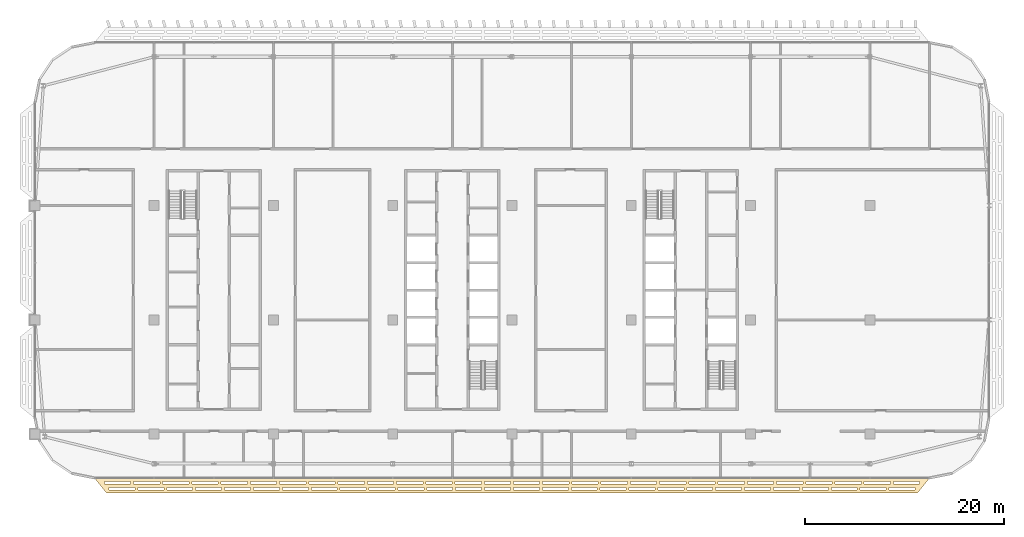
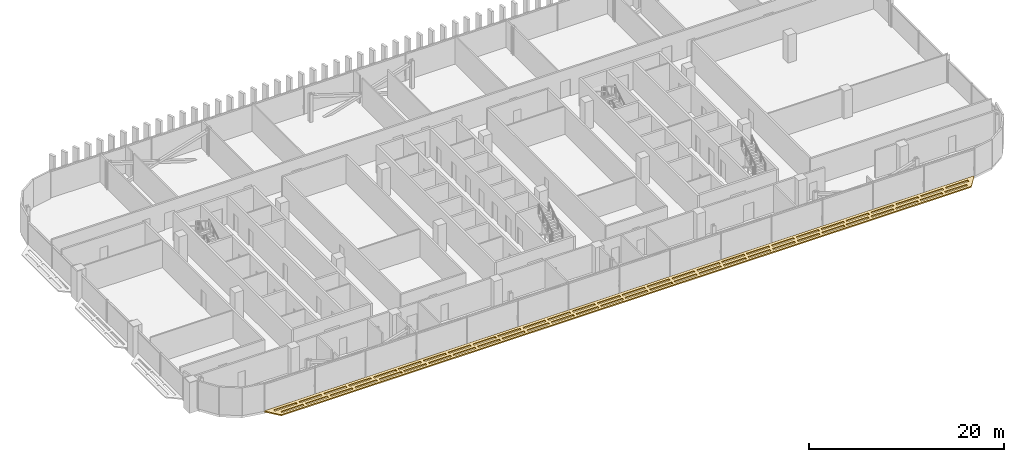
# One storey, part 28 of 32: 1 covering.
"""IFC4 building model written with IfcOpenShell, lengths in metres."""

from ifc_helpers import new_model, si_unit, direction, frame, origin, place, context, subcontext, project, spatial, polyline, outline, extrude, material, layer, layer_set, type_object, element, save


model = new_model("IFC4")

# Units and contexts
model_context = context("Model", 3, precision=1e-05, world=origin(), true_north=direction((0.0, 1.0)))
body_context = subcontext(model_context, "Body", "Model", "MODEL_VIEW")
ifc_project = project(units=[si_unit("LENGTHUNIT", "METRE"), si_unit("AREAUNIT", "SQUARE_METRE"), si_unit("VOLUMEUNIT", "CUBIC_METRE"), si_unit("PLANEANGLEUNIT", "RADIAN"), si_unit("MASSUNIT", "GRAM", prefix="KILO")], contexts=[model_context])

# Site, building, storey
site_placement = place(None, origin())
site = spatial("IfcSite", under=ifc_project, at=site_placement, CompositionType="ELEMENT")
building_placement = place(site_placement, origin())
building = spatial("IfcBuilding", under=site, at=building_placement, Name="Mahtab Terrace Research Tower", CompositionType="ELEMENT")
storey_placement = place(building_placement, frame((0.0, 0.0, 240.0)))
storey = spatial("IfcBuildingStorey", under=building, at=storey_placement, Name="L58", CompositionType="ELEMENT", Elevation=240.0)

# Covering
ifc_material = material(Name="Black anodised aluminium", Category="aluminium")
ifc_layer = layer(ifc_material, 0.14990234375)
ifc_layer_set = layer_set([ifc_layer], Name="Horizontal sunshade band")
covering_type = type_object("IfcCoveringType", Name="Horizontal sunshade band", PredefinedType="CLADDING", material=ifc_layer_set)
covering_placement = place(storey_placement, frame((0.0, 0.0, -0.14990234375)))
element("IfcCovering", 1, at=covering_placement, inside=storey, type_object=covering_type, Name="Sunshade band L58 16", PredefinedType="CLADDING", context=body_context, shape_type="SweptSolid", body=[
    extrude(outline(polyline([(-36.0, -15.9169921875), (48.0, -15.9169921875), (46.800048828125, -17.4169921875), (-34.800048828125, -17.4169921875), (-36.0, -15.9169921875)]), holes=[polyline([(-35.02001953125, -16.26708984375), (-32.37890625, -16.26708984375), (-32.37890625, -16.51708984375), (-35.02001953125, -16.51708984375), (-35.02001953125, -16.26708984375)]), polyline([(-32.0791015625, -16.26708984375), (-29.43896484375, -16.26708984375), (-29.43896484375, -16.51708984375), (-32.0791015625, -16.51708984375), (-32.0791015625, -16.26708984375)]), polyline([(-29.138916015625, -16.26708984375), (-26.498046875, -16.26708984375), (-26.498046875, -16.51708984375), (-29.138916015625, -16.51708984375), (-29.138916015625, -16.26708984375)]), polyline([(-26.197998046875, -16.26708984375), (-23.556884765625, -16.26708984375), (-23.556884765625, -16.51708984375), (-26.197998046875, -16.51708984375), (-26.197998046875, -16.26708984375)]), polyline([(-23.257080078125, -16.26708984375), (-20.615966796875, -16.26708984375), (-20.615966796875, -16.51708984375), (-23.257080078125, -16.51708984375), (-23.257080078125, -16.26708984375)]), polyline([(-20.31591796875, -16.26708984375), (-17.676025390625, -16.26708984375), (-17.676025390625, -16.51708984375), (-20.31591796875, -16.51708984375), (-20.31591796875, -16.26708984375)]), polyline([(-17.3759765625, -16.26708984375), (-14.735107421875, -16.26708984375), (-14.735107421875, -16.51708984375), (-17.3759765625, -16.51708984375), (-17.3759765625, -16.26708984375)]), polyline([(-14.43505859375, -16.26708984375), (-11.7939453125, -16.26708984375), (-11.7939453125, -16.51708984375), (-14.43505859375, -16.51708984375), (-14.43505859375, -16.26708984375)]), polyline([(-11.493896484375, -16.26708984375), (-8.85400390625, -16.26708984375), (-8.85400390625, -16.51708984375), (-11.493896484375, -16.51708984375), (-11.493896484375, -16.26708984375)]), polyline([(-8.553955078125, -16.26708984375), (-5.9130859375, -16.26708984375), (-5.9130859375, -16.51708984375), (-8.553955078125, -16.51708984375), (-8.553955078125, -16.26708984375)]), polyline([(-5.613037109375, -16.26708984375), (-2.971923828125, -16.26708984375), (-2.971923828125, -16.51708984375), (-5.613037109375, -16.51708984375), (-5.613037109375, -16.26708984375)]), polyline([(-2.672119140625, -16.26708984375), (-0.031005859375, -16.26708984375), (-0.031005859375, -16.51708984375), (-2.672119140625, -16.51708984375), (-2.672119140625, -16.26708984375)]), polyline([(0.26904296875, -16.26708984375), (2.908935546875, -16.26708984375), (2.908935546875, -16.51708984375), (0.26904296875, -16.51708984375), (0.26904296875, -16.26708984375)]), polyline([(3.208984375, -16.26708984375), (5.85009765625, -16.26708984375), (5.85009765625, -16.51708984375), (3.208984375, -16.51708984375), (3.208984375, -16.26708984375)]), polyline([(6.14990234375, -16.26708984375), (8.791015625, -16.26708984375), (8.791015625, -16.51708984375), (6.14990234375, -16.51708984375), (6.14990234375, -16.26708984375)]), polyline([(9.091064453125, -16.26708984375), (11.73095703125, -16.26708984375), (11.73095703125, -16.51708984375), (9.091064453125, -16.51708984375), (9.091064453125, -16.26708984375)]), polyline([(12.031005859375, -16.26708984375), (14.672119140625, -16.26708984375), (14.672119140625, -16.51708984375), (12.031005859375, -16.51708984375), (12.031005859375, -16.26708984375)]), polyline([(14.971923828125, -16.26708984375), (17.613037109375, -16.26708984375), (17.613037109375, -16.51708984375), (14.971923828125, -16.51708984375), (14.971923828125, -16.26708984375)]), polyline([(17.9130859375, -16.26708984375), (20.553955078125, -16.26708984375), (20.553955078125, -16.51708984375), (17.9130859375, -16.51708984375), (17.9130859375, -16.26708984375)]), polyline([(20.85400390625, -16.26708984375), (23.493896484375, -16.26708984375), (23.493896484375, -16.51708984375), (20.85400390625, -16.51708984375), (20.85400390625, -16.26708984375)]), polyline([(23.7939453125, -16.26708984375), (26.43505859375, -16.26708984375), (26.43505859375, -16.51708984375), (23.7939453125, -16.51708984375), (23.7939453125, -16.26708984375)]), polyline([(26.735107421875, -16.26708984375), (29.3759765625, -16.26708984375), (29.3759765625, -16.51708984375), (26.735107421875, -16.51708984375), (26.735107421875, -16.26708984375)]), polyline([(29.676025390625, -16.26708984375), (32.31591796875, -16.26708984375), (32.31591796875, -16.51708984375), (29.676025390625, -16.51708984375), (29.676025390625, -16.26708984375)]), polyline([(32.615966796875, -16.26708984375), (35.257080078125, -16.26708984375), (35.257080078125, -16.51708984375), (32.615966796875, -16.51708984375), (32.615966796875, -16.26708984375)]), polyline([(35.556884765625, -16.26708984375), (38.197998046875, -16.26708984375), (38.197998046875, -16.51708984375), (35.556884765625, -16.51708984375), (35.556884765625, -16.26708984375)]), polyline([(38.498046875, -16.26708984375), (41.138916015625, -16.26708984375), (41.138916015625, -16.51708984375), (38.498046875, -16.51708984375), (38.498046875, -16.26708984375)]), polyline([(41.43896484375, -16.26708984375), (44.0791015625, -16.26708984375), (44.0791015625, -16.51708984375), (41.43896484375, -16.51708984375), (41.43896484375, -16.26708984375)]), polyline([(44.37890625, -16.26708984375), (47.02001953125, -16.26708984375), (47.02001953125, -16.51708984375), (44.37890625, -16.51708984375), (44.37890625, -16.26708984375)]), polyline([(-34.5400390625, -16.866943359375), (-31.93408203125, -16.866943359375), (-31.93408203125, -17.116943359375), (-34.5400390625, -17.116943359375), (-34.5400390625, -16.866943359375)]), polyline([(-31.634033203125, -16.866943359375), (-29.027099609375, -16.866943359375), (-29.027099609375, -17.116943359375), (-31.634033203125, -17.116943359375), (-31.634033203125, -16.866943359375)]), polyline([(-28.72705078125, -16.866943359375), (-26.12109375, -16.866943359375), (-26.12109375, -17.116943359375), (-28.72705078125, -17.116943359375), (-28.72705078125, -16.866943359375)]), polyline([(-25.821044921875, -16.866943359375), (-23.214111328125, -16.866943359375), (-23.214111328125, -17.116943359375), (-25.821044921875, -17.116943359375), (-25.821044921875, -16.866943359375)]), polyline([(-22.9140625, -16.866943359375), (-20.30810546875, -16.866943359375), (-20.30810546875, -17.116943359375), (-22.9140625, -17.116943359375), (-22.9140625, -16.866943359375)]), polyline([(-20.008056640625, -16.866943359375), (-17.40087890625, -16.866943359375), (-17.40087890625, -17.116943359375), (-20.008056640625, -17.116943359375), (-20.008056640625, -16.866943359375)]), polyline([(-17.10107421875, -16.866943359375), (-14.4951171875, -16.866943359375), (-14.4951171875, -17.116943359375), (-17.10107421875, -17.116943359375), (-17.10107421875, -16.866943359375)]), polyline([(-14.195068359375, -16.866943359375), (-11.589111328125, -16.866943359375), (-11.589111328125, -17.116943359375), (-14.195068359375, -17.116943359375), (-14.195068359375, -16.866943359375)]), polyline([(-11.2890625, -16.866943359375), (-8.681884765625, -16.866943359375), (-8.681884765625, -17.116943359375), (-11.2890625, -17.116943359375), (-11.2890625, -16.866943359375)]), polyline([(-8.382080078125, -16.866943359375), (-5.77587890625, -16.866943359375), (-5.77587890625, -17.116943359375), (-8.382080078125, -17.116943359375), (-8.382080078125, -16.866943359375)]), polyline([(-5.47607421875, -16.866943359375), (-2.868896484375, -16.866943359375), (-2.868896484375, -17.116943359375), (-5.47607421875, -17.116943359375), (-5.47607421875, -16.866943359375)]), polyline([(-2.569091796875, -16.866943359375), (0.037109375, -16.866943359375), (0.037109375, -17.116943359375), (-2.569091796875, -17.116943359375), (-2.569091796875, -16.866943359375)]), polyline([(0.3369140625, -16.866943359375), (2.944091796875, -16.866943359375), (2.944091796875, -17.116943359375), (0.3369140625, -17.116943359375), (0.3369140625, -16.866943359375)]), polyline([(3.243896484375, -16.866943359375), (5.85009765625, -16.866943359375), (5.85009765625, -17.116943359375), (3.243896484375, -17.116943359375), (3.243896484375, -16.866943359375)]), polyline([(6.14990234375, -16.866943359375), (8.756103515625, -16.866943359375), (8.756103515625, -17.116943359375), (6.14990234375, -17.116943359375), (6.14990234375, -16.866943359375)]), polyline([(9.055908203125, -16.866943359375), (11.6630859375, -16.866943359375), (11.6630859375, -17.116943359375), (9.055908203125, -17.116943359375), (9.055908203125, -16.866943359375)]), polyline([(11.962890625, -16.866943359375), (14.569091796875, -16.866943359375), (14.569091796875, -17.116943359375), (11.962890625, -17.116943359375), (11.962890625, -16.866943359375)]), polyline([(14.868896484375, -16.866943359375), (17.47607421875, -16.866943359375), (17.47607421875, -17.116943359375), (14.868896484375, -17.116943359375), (14.868896484375, -16.866943359375)]), polyline([(17.77587890625, -16.866943359375), (20.382080078125, -16.866943359375), (20.382080078125, -17.116943359375), (17.77587890625, -17.116943359375), (17.77587890625, -16.866943359375)]), polyline([(20.681884765625, -16.866943359375), (23.2890625, -16.866943359375), (23.2890625, -17.116943359375), (20.681884765625, -17.116943359375), (20.681884765625, -16.866943359375)]), polyline([(23.589111328125, -16.866943359375), (26.195068359375, -16.866943359375), (26.195068359375, -17.116943359375), (23.589111328125, -17.116943359375), (23.589111328125, -16.866943359375)]), polyline([(26.4951171875, -16.866943359375), (29.10107421875, -16.866943359375), (29.10107421875, -17.116943359375), (26.4951171875, -17.116943359375), (26.4951171875, -16.866943359375)]), polyline([(29.40087890625, -16.866943359375), (32.008056640625, -16.866943359375), (32.008056640625, -17.116943359375), (29.40087890625, -17.116943359375), (29.40087890625, -16.866943359375)]), polyline([(32.30810546875, -16.866943359375), (34.9140625, -16.866943359375), (34.9140625, -17.116943359375), (32.30810546875, -17.116943359375), (32.30810546875, -16.866943359375)]), polyline([(35.214111328125, -16.866943359375), (37.821044921875, -16.866943359375), (37.821044921875, -17.116943359375), (35.214111328125, -17.116943359375), (35.214111328125, -16.866943359375)]), polyline([(38.12109375, -16.866943359375), (40.72705078125, -16.866943359375), (40.72705078125, -17.116943359375), (38.12109375, -17.116943359375), (38.12109375, -16.866943359375)]), polyline([(41.027099609375, -16.866943359375), (43.634033203125, -16.866943359375), (43.634033203125, -17.116943359375), (41.027099609375, -17.116943359375), (41.027099609375, -16.866943359375)]), polyline([(43.93408203125, -16.866943359375), (46.5400390625, -16.866943359375), (46.5400390625, -17.116943359375), (43.93408203125, -17.116943359375), (43.93408203125, -16.866943359375)])]), origin(), (0.0, 0.0, 1.0), 0.14990234375),
])

save(model, "model.ifc")
